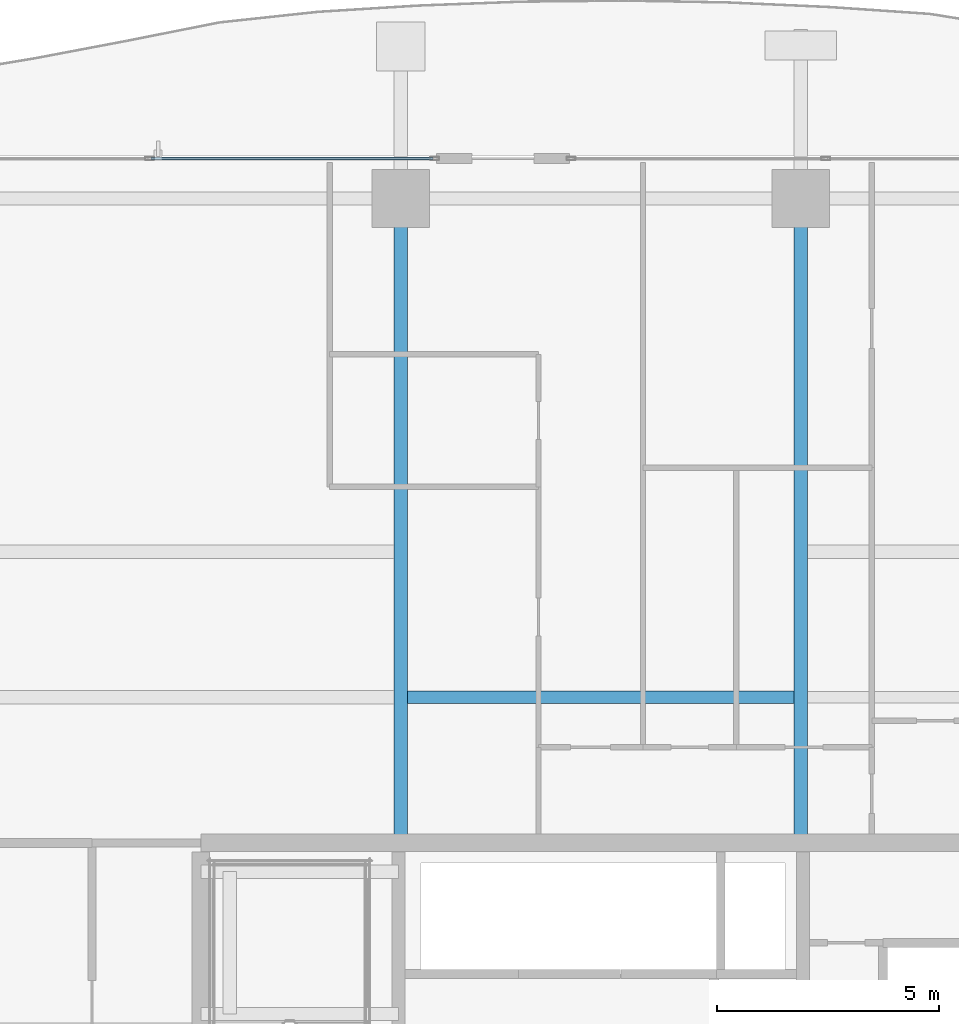
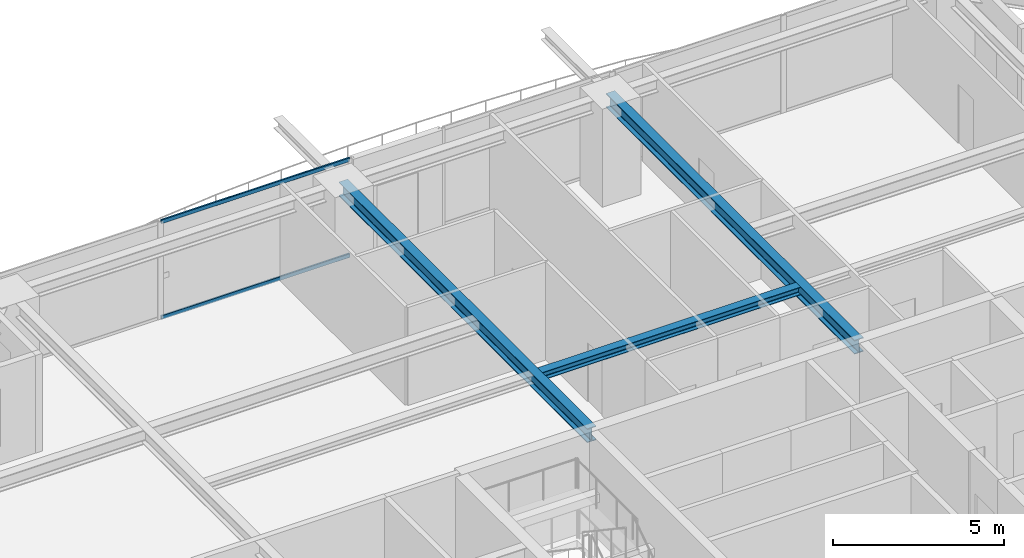
# One storey, part 18 of 34: 3 beams, 2 members, 1 element without a shape of its own.
"""IFC4 building model written with IfcOpenShell, lengths in metres."""

from ifc_helpers import new_model, si_unit, direction, frame, origin, origin_2d, place, context, subcontext, project, spatial, hollow_rectangle, i_section, extrude, source, transform, mapped, material, layer, layer_set, material_profile, profile_set, type_object, element, aggregate, save


model = new_model("IFC4")

# Units and contexts
model_context = context("Model", 3, precision=1e-05, world=origin(), true_north=direction((0.0, 1.0)))
body_context = subcontext(model_context, "Body", "Model", "MODEL_VIEW")
ifc_project = project(units=[si_unit("LENGTHUNIT", "METRE"), si_unit("AREAUNIT", "SQUARE_METRE"), si_unit("VOLUMEUNIT", "CUBIC_METRE"), si_unit("PLANEANGLEUNIT", "RADIAN"), si_unit("MASSUNIT", "GRAM", prefix="KILO")], contexts=[model_context])

# Site, building, storey
site_placement = place(None, origin())
site = spatial("IfcSite", under=ifc_project, at=site_placement, CompositionType="ELEMENT")
building_placement = place(site_placement, origin())
building = spatial("IfcBuilding", under=site, at=building_placement, Name="Serunith Strait Residences", CompositionType="ELEMENT")
storey_placement = place(building_placement, frame((0.0, 0.0, 135.14990234375)))
storey = spatial("IfcBuildingStorey", under=building, at=storey_placement, Name="L33", CompositionType="ELEMENT", Elevation=135.14990234375)

# Beams
ifc_material_1 = material(Name="Steel S355J2", Category="steel")
ifc_material_profile_1 = material_profile(ifc_material_1, i_section(OverallWidth=0.280029296875, OverallDepth=0.280029296875, WebThickness=0.010498046875, FlangeThickness=0.01806640625, FilletRadius=0.02392578125, at=origin_2d()), Name="HEB 280")
ifc_profile_set_1 = profile_set([ifc_material_profile_1], Name="Steel S355J2")
beam_type_1 = type_object("IfcBeamType", Name="BM-HEB280", PredefinedType="JOIST", material=ifc_profile_set_1)
shared_shape_1 = source(origin(), body_context, "Body", "SweptSolid", [
    extrude(i_section(OverallWidth=0.280029296875, OverallDepth=0.280029296875, WebThickness=0.010498046875, FlangeThickness=0.01806640625, FilletRadius=0.02392578125, at=origin_2d()), origin(), (0.0, 0.0, 1.0), 8.699951171875),
])
beam_placement = place(storey_placement, frame((28.050048828125, 36.875, 3.34716796875), z_axis=(1.0, 0.0, 0.0), x_axis=(0.0, 1.0, 0.0)))
element("IfcBeam", 1, at=beam_placement, inside=storey, type_object=beam_type_1, Name="L33 Composite Floor Joist 05", PredefinedType="JOIST", context=body_context, shape_type="MappedRepresentation", body=[
    mapped(shared_shape_1, transform((0.0, 0.0, 0.0), scale=1.0)),
])
ifc_material_profile_2 = material_profile(ifc_material_1, i_section(OverallWidth=0.300048828125, OverallDepth=0.5, WebThickness=0.014404296875, FlangeThickness=0.028076171875, FilletRadius=0.027099609375, at=origin_2d()), Name="HEB 500")
ifc_profile_set_2 = profile_set([ifc_material_profile_2], Name="Steel S355J2")
beam_type_2 = type_object("IfcBeamType", Name="BM-HEB500", PredefinedType="BEAM", material=ifc_profile_set_2)
shared_shape_2 = source(origin(), body_context, "Body", "SweptSolid", [
    extrude(i_section(OverallWidth=0.300048828125, OverallDepth=0.5, WebThickness=0.014404296875, FlangeThickness=0.028076171875, FilletRadius=0.027099609375, at=origin_2d()), origin(), (0.0, 0.0, 1.0), 14.5),
])
for number, where, z_axis, x_axis, name in (
    (2, (27.89990234375, 33.60009765625, 3.237060546875), (0.0, 1.0, 0.0), (-1.0, 0.0, 0.0), "L33 Primary Floor Girder TC-N2"),
    (3, (36.89990234375, 33.60009765625, 3.237060546875), (0.0, 1.0, 0.0), (-1.0, 0.0, 0.0), "L33 Primary Floor Girder TC-N3"),
):
    element("IfcBeam", number, at=place(storey_placement, frame(where, z_axis=z_axis, x_axis=x_axis)), inside=storey, type_object=beam_type_2, Name=name, PredefinedType="BEAM", context=body_context, shape_type="MappedRepresentation", body=[
        mapped(shared_shape_2, transform((0.0, 0.0, 0.0), scale=1.0)),
    ])

# Curtain wall, members
ifc_material_2 = material(Name="Pale-Champagne Anodised Aluminium", Category="aluminium")
ifc_layer = layer(ifc_material_2, 0.199951171875, Name="Pale-Champagne Anodised Aluminium")
ifc_layer_set = layer_set([ifc_layer], Name="Pale-Champagne Anodised Aluminium")
curtain_wall_type = type_object("IfcCurtainWallType", Name="CW-SYS2", PredefinedType="NOTDEFINED", material=ifc_layer_set)
curtain_wall_placement = place(storey_placement, origin())
curtain_wall = element("IfcCurtainWall", 4, at=curtain_wall_placement, inside=storey, type_object=curtain_wall_type, Name="L33 N Unitised Fritted Curtain Wall", PredefinedType="NOTDEFINED")
ifc_material_profile_3 = material_profile(ifc_material_2, hollow_rectangle(XDim=0.06005859375, YDim=0.139892578125, WallThickness=0.00341796875, InnerFilletRadius=0.00537109375, OuterFilletRadius=0.0087890625, at=origin_2d()), Name="ALU 140x60x3.5")
ifc_profile_set_3 = profile_set([ifc_material_profile_3], Name="Pale-Champagne Anodised Aluminium")
member_type = type_object("IfcMemberType", Name="CW-SYS2-TRAN", PredefinedType="USERDEFINED", material=ifc_profile_set_3)
shared_shape_3 = source(origin(), body_context, "Body", "SweptSolid", [
    extrude(hollow_rectangle(XDim=0.06005859375, YDim=0.139892578125, WallThickness=0.00341796875, InnerFilletRadius=0.00537109375, OuterFilletRadius=0.0087890625, at=origin_2d()), origin(), (0.0, 0.0, 1.0), 6.344970703125),
])
member_1_placement = place(storey_placement, frame((28.6298828125, 49.0, 0.030029296875), z_axis=(-1.0, 0.0, 0.0), x_axis=(0.0, -1.0, 0.0)))
member_1 = element("IfcMember", 5, at=member_1_placement, type_object=member_type, Name="CW-2 transom 1.1", ObjectType="TRANSOM", PredefinedType="USERDEFINED", context=body_context, shape_type="MappedRepresentation", body=[
    mapped(shared_shape_3, transform((0.0, 0.0, 0.0), scale=1.0)),
])
member_2_placement = place(storey_placement, frame((28.6298828125, 49.0, 3.445068359375), z_axis=(-1.0, 0.0, 0.0), x_axis=(0.0, -1.0, 0.0)))
member_2 = element("IfcMember", 6, at=member_2_placement, type_object=member_type, Name="CW-2 transom 1.2", ObjectType="TRANSOM", PredefinedType="USERDEFINED", context=body_context, shape_type="MappedRepresentation", body=[
    mapped(shared_shape_3, transform((0.0, 0.0, 0.0), scale=1.0)),
])
aggregate(curtain_wall, [member_1, member_2])

save(model, "model.ifc")
